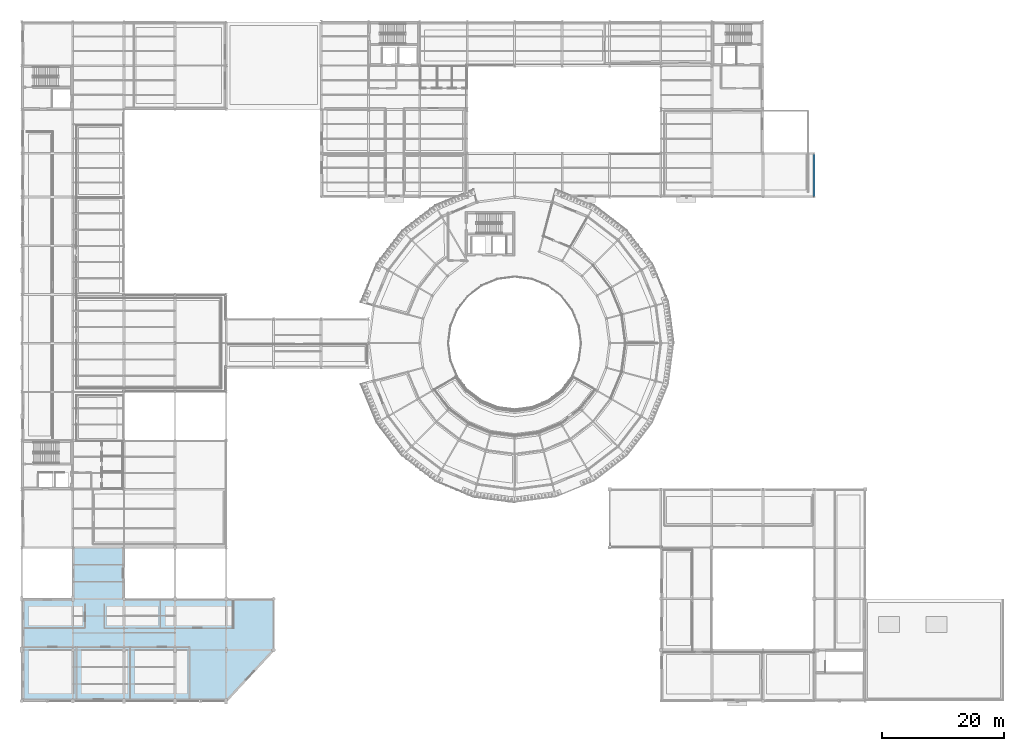
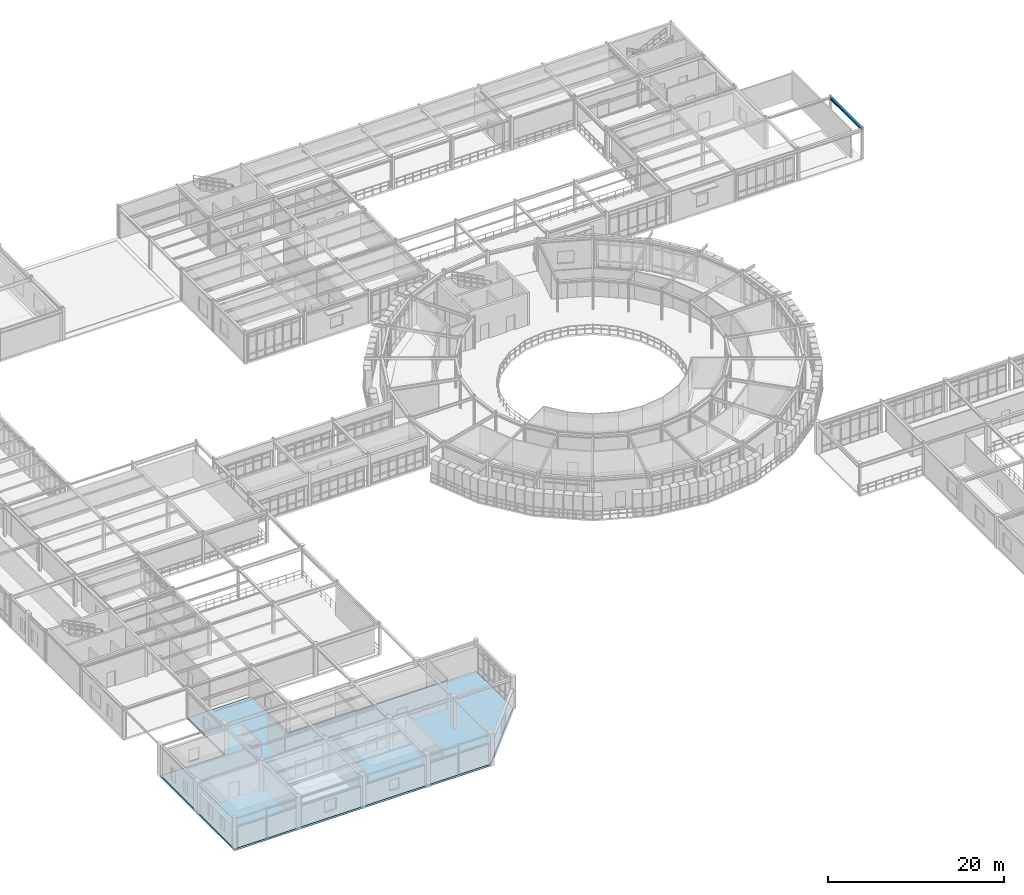
# One storey, part 64 of 106: 1 beam, 1 slab.
"""IFC4 building model written with IfcOpenShell, lengths in metres."""

from ifc_helpers import new_model, si_unit, derived_unit, direction, frame, origin, origin_2d, place, context, subcontext, project, spatial, polyline, i_section, outline, extrude, material, layer, layer_set, material_profile, profile_set, type_object, element, save


model = new_model("IFC4")

# Units and contexts
model_context = context("Model", 3, precision=1e-05, world=origin(), true_north=direction((0.0, 1.0)))
body_context = subcontext(model_context, "Body", "Model", "MODEL_VIEW")
ifc_project = project(units=[si_unit("LENGTHUNIT", "METRE"), si_unit("AREAUNIT", "SQUARE_METRE"), si_unit("VOLUMEUNIT", "CUBIC_METRE"), si_unit("PLANEANGLEUNIT", "RADIAN"), si_unit("MASSUNIT", "GRAM", prefix="KILO"), derived_unit("THERMALTRANSMITTANCEUNIT", [(si_unit("POWERUNIT", "WATT"), 1), (si_unit("AREAUNIT", "SQUARE_METRE"), -1), (si_unit("THERMODYNAMICTEMPERATUREUNIT", "KELVIN"), -1)])], contexts=[model_context])

# Site, building, storey
site_placement = place(None, origin())
site = spatial("IfcSite", under=ifc_project, at=site_placement, CompositionType="ELEMENT")
building_placement = place(site_placement, origin())
building = spatial("IfcBuilding", under=site, at=building_placement, Name="Yasenodar Specialist Clinic", CompositionType="ELEMENT")
storey_placement = place(building_placement, frame((0.0, 0.0, 4.5)))
storey = spatial("IfcBuildingStorey", under=building, at=storey_placement, Name="L01", CompositionType="ELEMENT", Elevation=4.5)

# Beam
ifc_material_1 = material(Name="Steel S355", Category="steel")
ifc_material_profile = material_profile(ifc_material_1, i_section(OverallWidth=0.300048828125, OverallDepth=0.300048828125, WebThickness=0.010986328125, FlangeThickness=0.01904296875, FilletRadius=0.027099609375, at=origin_2d()), Name="HEB 300")
ifc_profile_set = profile_set([ifc_material_profile], Name="Steel S355")
beam_type = type_object("IfcBeamType", Name="BM-HEB300", PredefinedType="BEAM", material=ifc_profile_set)
beam_placement = place(storey_placement, frame((130.199951171875, 82.800048828125, 4.10009765625), z_axis=(0.0, 1.0, 0.0), x_axis=(-1.0, 0.0, 0.0)))
element("IfcBeam", 1, at=beam_placement, inside=storey, type_object=beam_type, Name="L01 Primary N-S Girder", PredefinedType="BEAM", context=body_context, shape_type="SweptSolid", body=[
    extrude(i_section(OverallWidth=0.300048828125, OverallDepth=0.300048828125, WebThickness=0.010986328125, FlangeThickness=0.01904296875, FilletRadius=0.027099609375, at=origin_2d()), origin(), (0.0, 0.0, 1.0), 7.199951171875),
])

# Slab
ifc_material_2 = material(Name="Concrete C30/37", Category="concrete")
ifc_layer = layer(ifc_material_2, 0.264892578125)
ifc_layer_set = layer_set([ifc_layer], Name="Concrete C30/37")
slab_type = type_object("IfcSlabType", Name="SLB-FLR-265", PredefinedType="FLOOR", material=ifc_layer_set)
slab_placement = place(storey_placement, frame((0.0, 0.0, -0.264892578125)))
element("IfcSlab", 2, at=slab_placement, inside=storey, type_object=slab_type, Name="L01 V2 structural slab", PredefinedType="FLOOR", context=body_context, shape_type="SweptSolid", body=[
    extrude(outline(polyline([(0.0, 16.800048828125), (8.39990234375, 16.800048828125), (8.39990234375, 25.199951171875), (16.800048828125, 25.199951171875), (16.800048828125, 16.800048828125), (41.39990234375, 16.800048828125), (41.39990234375, 8.39990234375), (33.60009765625, 0.0), (0.0, 0.0), (0.0, 16.800048828125)])), origin(), (0.0, 0.0, 1.0), 0.264892578125),
])

save(model, "model.ifc")
